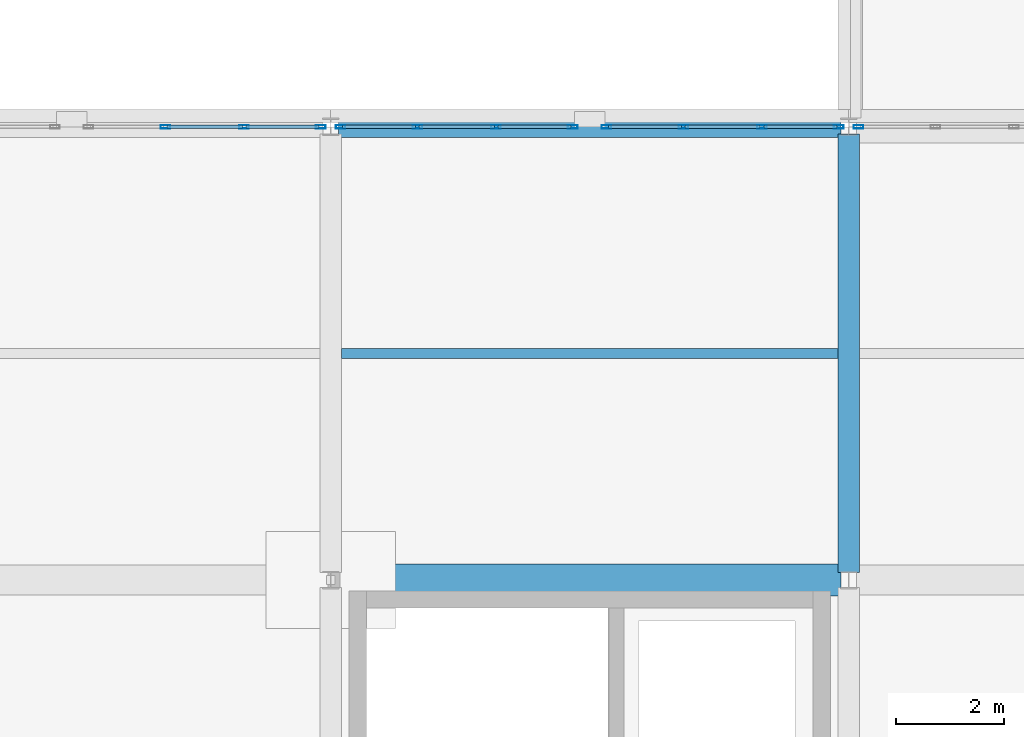
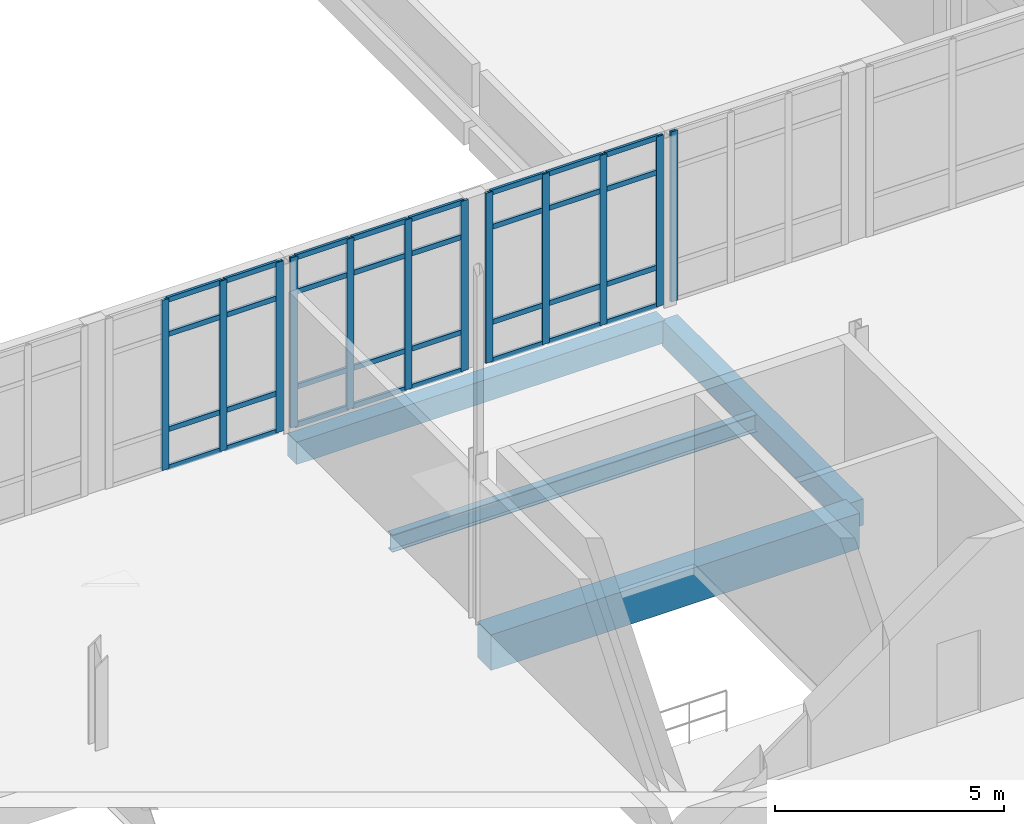
# One storey, part 14 of 88: 44 members, 4 beams, 4 elements without a shape of their own.
"""IFC4 building model written with IfcOpenShell, lengths in metres."""

from ifc_helpers import new_model, si_unit, direction, frame, origin, origin_2d, place, context, subcontext, project, spatial, rectangle, hollow_rectangle, i_section, extrude, material, layer, layer_set, material_profile, profile_set, type_object, element, aggregate, save


model = new_model("IFC4")

# Units and contexts
model_context = context("Model", 3, precision=1e-05, world=origin(), true_north=direction((0.0, 1.0)))
body_context = subcontext(model_context, "Body", "Model", "MODEL_VIEW")
ifc_project = project(units=[si_unit("LENGTHUNIT", "METRE"), si_unit("AREAUNIT", "SQUARE_METRE"), si_unit("VOLUMEUNIT", "CUBIC_METRE"), si_unit("PLANEANGLEUNIT", "RADIAN"), si_unit("MASSUNIT", "GRAM", prefix="KILO")], contexts=[model_context])

# Site, building, storey
site_placement = place(None, origin())
site = spatial("IfcSite", under=ifc_project, at=site_placement, CompositionType="ELEMENT")
building_placement = place(site_placement, origin())
building = spatial("IfcBuilding", under=site, at=building_placement, Name="Lornevale Opera House", CompositionType="ELEMENT")
storey_placement = place(building_placement, frame((0.0, 0.0, 10.199951171875)))
storey = spatial("IfcBuildingStorey", under=building, at=storey_placement, Name="L03", CompositionType="ELEMENT", Elevation=10.199951171875)

# Beams
ifc_material_1 = material(Name="Concrete 35 MPa (CSA A23.1 N)", Category="concrete")
ifc_material_profile_1 = material_profile(ifc_material_1, rectangle(XDim=0.39990234375, YDim=0.699951171875, at=origin_2d()), Name="RC400x700")
ifc_profile_set_1 = profile_set([ifc_material_profile_1], Name="Concrete 35 MPa (CSA A23.1 N)")
beam_type_1 = type_object("IfcBeamType", Name="Concrete Floor Beam 400x700", PredefinedType="USERDEFINED", material=ifc_profile_set_1)
beam_1_placement = place(storey_placement, frame((28.800048828125, 16.9375, -0.639892578125), z_axis=(0.0, 1.0, 0.0), x_axis=(-1.0, 0.0, 0.0)))
element("IfcBeam", 1, at=beam_1_placement, inside=storey, type_object=beam_type_1, Name="Concrete Floor Beam 400x700 2247", ObjectType="GIRDER", PredefinedType="USERDEFINED", context=body_context, shape_type="SweptSolid", body=[
    extrude(rectangle(XDim=0.39990234375, YDim=0.699951171875, at=origin_2d()), origin(), (0.0, 0.0, 1.0), 8.125),
])
ifc_material_profile_2 = material_profile(ifc_material_1, rectangle(XDim=0.60009765625, YDim=0.949951171875, at=origin_2d()), Name="RC600x950")
ifc_profile_set_2 = profile_set([ifc_material_profile_2], Name="Concrete 35 MPa (CSA A23.1 N)")
beam_type_2 = type_object("IfcBeamType", Name="Concrete Primary Girder 600x950", PredefinedType="USERDEFINED", material=ifc_profile_set_2)
beam_2_placement = place(storey_placement, frame((19.346923828125, 16.800048828125, -0.7548828125), z_axis=(1.0, 0.0, 0.0), x_axis=(0.0, 1.0, 0.0)))
element("IfcBeam", 2, at=beam_2_placement, inside=storey, type_object=beam_type_2, Name="Concrete Primary Girder 600x950 2093", ObjectType="GIRDER", PredefinedType="USERDEFINED", context=body_context, shape_type="SweptSolid", body=[
    extrude(rectangle(XDim=0.60009765625, YDim=0.949951171875, at=origin_2d()), origin(), (0.0, 0.0, 1.0), 9.30615234375),
])
ifc_material_profile_3 = material_profile(ifc_material_1, rectangle(XDim=0.39990234375, YDim=0.60009765625, at=origin_2d()), Name="RC400x600")
ifc_profile_set_3 = profile_set([ifc_material_profile_3], Name="Concrete 35 MPa (CSA A23.1 N)")
beam_type_3 = type_object("IfcBeamType", Name="Concrete Spandrel Beam 400x600", PredefinedType="SPANDREL", material=ifc_profile_set_3)
beam_3_placement = place(storey_placement, frame((19.346923828125, 25.199951171875, -0.58984375), z_axis=(1.0, 0.0, 0.0), x_axis=(0.0, 1.0, 0.0)))
element("IfcBeam", 3, at=beam_3_placement, inside=storey, type_object=beam_type_3, Name="Concrete Spandrel Beam 400x600 2106", PredefinedType="SPANDREL", context=body_context, shape_type="SweptSolid", body=[
    extrude(rectangle(XDim=0.39990234375, YDim=0.60009765625, at=origin_2d()), origin(), (0.0, 0.0, 1.0), 9.30615234375),
])

# Curtain wall, members
ifc_material_2 = material(Name="Anodized Oxide-Green Aluminium Framing", Category="aluminium")
ifc_layer = layer(ifc_material_2, 0.175048828125)
ifc_layer_set = layer_set([ifc_layer], Name="Anodized Oxide-Green Aluminium Framing")
curtain_wall_type = type_object("IfcCurtainWallType", Name="Chamber Cloister Curtain Wall M1700", PredefinedType="NOTDEFINED", material=ifc_layer_set)
curtain_wall_1_placement = place(storey_placement, origin())
curtain_wall_1 = element("IfcCurtainWall", 4, at=curtain_wall_1_placement, inside=storey, type_object=curtain_wall_type, Name="Chamber Cloister Curtain Wall M1700 CW-103", PredefinedType="NOTDEFINED")
ifc_material_profile_4 = material_profile(ifc_material_2, hollow_rectangle(XDim=0.06494140625, YDim=0.179931640625, WallThickness=0.0048828125, at=origin_2d()), Name="ALU65x180x5")
ifc_profile_set_4 = profile_set([ifc_material_profile_4], Name="Anodized Oxide-Green Aluminium Framing")
member_type_1 = type_object("IfcMemberType", Name="Curtain Wall Mullion 65x180", PredefinedType="MULLION", material=ifc_profile_set_4)
member_1_placement = place(storey_placement, frame((16.136474609375, 25.199951171875, 0.0), z_axis=(0.0, 0.0, 1.0), x_axis=(0.0, 1.0, 0.0)))
member_1 = element("IfcMember", 5, at=member_1_placement, type_object=member_type_1, Name="Curtain Wall Mullion 65x180 CW2096", PredefinedType="MULLION", context=body_context, shape_type="SweptSolid", body=[
    extrude(hollow_rectangle(XDim=0.06494140625, YDim=0.179931640625, WallThickness=0.0048828125, at=origin_2d()), origin(), (0.0, 0.0, 1.0), 4.5400390625),
])
member_2_placement = place(storey_placement, frame((17.593017578125, 25.199951171875, 0.0), z_axis=(0.0, 0.0, 1.0), x_axis=(0.0, 1.0, 0.0)))
member_2 = element("IfcMember", 6, at=member_2_placement, type_object=member_type_1, Name="Curtain Wall Mullion 65x180 CW2097", PredefinedType="MULLION", context=body_context, shape_type="SweptSolid", body=[
    extrude(hollow_rectangle(XDim=0.06494140625, YDim=0.179931640625, WallThickness=0.0048828125, at=origin_2d()), origin(), (0.0, 0.0, 1.0), 4.5400390625),
])
member_3_placement = place(storey_placement, frame((19.01708984375, 25.199951171875, 0.0), z_axis=(0.0, 0.0, 1.0), x_axis=(0.0, 1.0, 0.0)))
member_3 = element("IfcMember", 7, at=member_3_placement, type_object=member_type_1, Name="Curtain Wall Mullion 65x180 CW2098", PredefinedType="MULLION", context=body_context, shape_type="SweptSolid", body=[
    extrude(hollow_rectangle(XDim=0.06494140625, YDim=0.179931640625, WallThickness=0.0048828125, at=origin_2d()), origin(), (0.0, 0.0, 1.0), 4.5400390625),
])

curtain_wall_2_placement = place(storey_placement, origin())
curtain_wall_2 = element("IfcCurtainWall", 8, at=curtain_wall_2_placement, inside=storey, type_object=curtain_wall_type, Name="Chamber Cloister Curtain Wall M1700 CW-110", PredefinedType="NOTDEFINED")
member_4_placement = place(storey_placement, frame((19.383056640625, 25.199951171875, 0.0), z_axis=(0.0, 0.0, 1.0), x_axis=(0.0, 1.0, 0.0)))
member_4 = element("IfcMember", 9, at=member_4_placement, type_object=member_type_1, Name="Curtain Wall Mullion 65x180 CW2270", PredefinedType="MULLION", context=body_context, shape_type="SweptSolid", body=[
    extrude(hollow_rectangle(XDim=0.06494140625, YDim=0.179931640625, WallThickness=0.0048828125, at=origin_2d()), origin(), (0.0, 0.0, 1.0), 4.5400390625),
])
member_5_placement = place(storey_placement, frame((20.806884765625, 25.199951171875, 0.0), z_axis=(0.0, 0.0, 1.0), x_axis=(0.0, 1.0, 0.0)))
member_5 = element("IfcMember", 10, at=member_5_placement, type_object=member_type_1, Name="Curtain Wall Mullion 65x180 CW2271", PredefinedType="MULLION", context=body_context, shape_type="SweptSolid", body=[
    extrude(hollow_rectangle(XDim=0.06494140625, YDim=0.179931640625, WallThickness=0.0048828125, at=origin_2d()), origin(), (0.0, 0.0, 1.0), 4.5400390625),
])
member_6_placement = place(storey_placement, frame((22.263427734375, 25.199951171875, 0.0), z_axis=(0.0, 0.0, 1.0), x_axis=(0.0, 1.0, 0.0)))
member_6 = element("IfcMember", 11, at=member_6_placement, type_object=member_type_1, Name="Curtain Wall Mullion 65x180 CW2272", PredefinedType="MULLION", context=body_context, shape_type="SweptSolid", body=[
    extrude(hollow_rectangle(XDim=0.06494140625, YDim=0.179931640625, WallThickness=0.0048828125, at=origin_2d()), origin(), (0.0, 0.0, 1.0), 4.5400390625),
])
member_7_placement = place(storey_placement, frame((23.6875, 25.199951171875, 0.0), z_axis=(0.0, 0.0, 1.0), x_axis=(0.0, 1.0, 0.0)))
member_7 = element("IfcMember", 12, at=member_7_placement, type_object=member_type_1, Name="Curtain Wall Mullion 65x180 CW2273", PredefinedType="MULLION", context=body_context, shape_type="SweptSolid", body=[
    extrude(hollow_rectangle(XDim=0.06494140625, YDim=0.179931640625, WallThickness=0.0048828125, at=origin_2d()), origin(), (0.0, 0.0, 1.0), 4.5400390625),
])

curtain_wall_3_placement = place(storey_placement, origin())
curtain_wall_3 = element("IfcCurtainWall", 13, at=curtain_wall_3_placement, inside=storey, type_object=curtain_wall_type, Name="Chamber Cloister Curtain Wall M1700 CW-111", PredefinedType="NOTDEFINED")
member_8_placement = place(storey_placement, frame((24.3125, 25.199951171875, 0.0), z_axis=(0.0, 0.0, 1.0), x_axis=(0.0, 1.0, 0.0)))
member_8 = element("IfcMember", 14, at=member_8_placement, type_object=member_type_1, Name="Curtain Wall Mullion 65x180 CW2295", PredefinedType="MULLION", context=body_context, shape_type="SweptSolid", body=[
    extrude(hollow_rectangle(XDim=0.06494140625, YDim=0.179931640625, WallThickness=0.0048828125, at=origin_2d()), origin(), (0.0, 0.0, 1.0), 4.5400390625),
])
member_9_placement = place(storey_placement, frame((25.736572265625, 25.199951171875, 0.0), z_axis=(0.0, 0.0, 1.0), x_axis=(0.0, 1.0, 0.0)))
member_9 = element("IfcMember", 15, at=member_9_placement, type_object=member_type_1, Name="Curtain Wall Mullion 65x180 CW2296", PredefinedType="MULLION", context=body_context, shape_type="SweptSolid", body=[
    extrude(hollow_rectangle(XDim=0.06494140625, YDim=0.179931640625, WallThickness=0.0048828125, at=origin_2d()), origin(), (0.0, 0.0, 1.0), 4.5400390625),
])
member_10_placement = place(storey_placement, frame((27.193115234375, 25.199951171875, 0.0), z_axis=(0.0, 0.0, 1.0), x_axis=(0.0, 1.0, 0.0)))
member_10 = element("IfcMember", 16, at=member_10_placement, type_object=member_type_1, Name="Curtain Wall Mullion 65x180 CW2297", PredefinedType="MULLION", context=body_context, shape_type="SweptSolid", body=[
    extrude(hollow_rectangle(XDim=0.06494140625, YDim=0.179931640625, WallThickness=0.0048828125, at=origin_2d()), origin(), (0.0, 0.0, 1.0), 4.5400390625),
])
member_11_placement = place(storey_placement, frame((28.616943359375, 25.199951171875, 0.0), z_axis=(0.0, 0.0, 1.0), x_axis=(0.0, 1.0, 0.0)))
member_11 = element("IfcMember", 17, at=member_11_placement, type_object=member_type_1, Name="Curtain Wall Mullion 65x180 CW2298", PredefinedType="MULLION", context=body_context, shape_type="SweptSolid", body=[
    extrude(hollow_rectangle(XDim=0.06494140625, YDim=0.179931640625, WallThickness=0.0048828125, at=origin_2d()), origin(), (0.0, 0.0, 1.0), 4.5400390625),
])

# Curtain wall, member
curtain_wall_4_placement = place(storey_placement, origin())
curtain_wall_4 = element("IfcCurtainWall", 18, at=curtain_wall_4_placement, inside=storey, type_object=curtain_wall_type, Name="Chamber Cloister Curtain Wall M1700 CW-122", PredefinedType="NOTDEFINED")
member_12_placement = place(storey_placement, frame((28.98291015625, 25.199951171875, 0.0), z_axis=(0.0, 0.0, 1.0), x_axis=(0.0, 1.0, 0.0)))
member_12 = element("IfcMember", 19, at=member_12_placement, type_object=member_type_1, Name="Curtain Wall Mullion 65x180 CW2530", PredefinedType="MULLION", context=body_context, shape_type="SweptSolid", body=[
    extrude(hollow_rectangle(XDim=0.06494140625, YDim=0.179931640625, WallThickness=0.0048828125, at=origin_2d()), origin(), (0.0, 0.0, 1.0), 4.5400390625),
])
aggregate(curtain_wall_4, [member_12])

# Member
ifc_material_profile_5 = material_profile(ifc_material_2, hollow_rectangle(XDim=0.06494140625, YDim=0.135009765625, WallThickness=0.00390625, at=origin_2d()), Name="ALU65x135x4")
ifc_profile_set_5 = profile_set([ifc_material_profile_5], Name="Anodized Oxide-Green Aluminium Framing")
member_type_2 = type_object("IfcMemberType", Name="Curtain Wall Transom 65x135", PredefinedType="USERDEFINED", material=ifc_profile_set_5)
member_13_placement = place(storey_placement, frame((16.1689453125, 25.199951171875, 0.032470703125), z_axis=(1.0, 0.0, 0.0), x_axis=(0.0, 1.0, 0.0)))
member_13 = element("IfcMember", 20, at=member_13_placement, type_object=member_type_2, Name="Curtain Wall Transom 65x135 CW2106", ObjectType="TRANSOM", PredefinedType="USERDEFINED", context=body_context, shape_type="SweptSolid", body=[
    extrude(hollow_rectangle(XDim=0.06494140625, YDim=0.135009765625, WallThickness=0.00390625, at=origin_2d()), origin(), (0.0, 0.0, 1.0), 1.3916015625),
])

member_14_placement = place(storey_placement, frame((16.1689453125, 25.199951171875, 1.050048828125), z_axis=(1.0, 0.0, 0.0), x_axis=(0.0, 1.0, 0.0)))
member_14 = element("IfcMember", 21, at=member_14_placement, type_object=member_type_2, Name="Curtain Wall Transom 65x135 CW2107", ObjectType="TRANSOM", PredefinedType="USERDEFINED", context=body_context, shape_type="SweptSolid", body=[
    extrude(hollow_rectangle(XDim=0.06494140625, YDim=0.135009765625, WallThickness=0.00390625, at=origin_2d()), origin(), (0.0, 0.0, 1.0), 1.3916015625),
])

member_15_placement = place(storey_placement, frame((16.1689453125, 25.199951171875, 3.590087890625), z_axis=(1.0, 0.0, 0.0), x_axis=(0.0, 1.0, 0.0)))
member_15 = element("IfcMember", 22, at=member_15_placement, type_object=member_type_2, Name="Curtain Wall Transom 65x135 CW2108", ObjectType="TRANSOM", PredefinedType="USERDEFINED", context=body_context, shape_type="SweptSolid", body=[
    extrude(hollow_rectangle(XDim=0.06494140625, YDim=0.135009765625, WallThickness=0.00390625, at=origin_2d()), origin(), (0.0, 0.0, 1.0), 1.3916015625),
])

member_16_placement = place(storey_placement, frame((16.1689453125, 25.199951171875, 4.507568359375), z_axis=(1.0, 0.0, 0.0), x_axis=(0.0, 1.0, 0.0)))
member_16 = element("IfcMember", 23, at=member_16_placement, type_object=member_type_2, Name="Curtain Wall Transom 65x135 CW2109", ObjectType="TRANSOM", PredefinedType="USERDEFINED", context=body_context, shape_type="SweptSolid", body=[
    extrude(hollow_rectangle(XDim=0.06494140625, YDim=0.135009765625, WallThickness=0.00390625, at=origin_2d()), origin(), (0.0, 0.0, 1.0), 1.3916015625),
])

member_17_placement = place(storey_placement, frame((17.62548828125, 25.199951171875, 0.032470703125), z_axis=(1.0, 0.0, 0.0), x_axis=(0.0, 1.0, 0.0)))
member_17 = element("IfcMember", 24, at=member_17_placement, type_object=member_type_2, Name="Curtain Wall Transom 65x135 CW2113", ObjectType="TRANSOM", PredefinedType="USERDEFINED", context=body_context, shape_type="SweptSolid", body=[
    extrude(hollow_rectangle(XDim=0.06494140625, YDim=0.135009765625, WallThickness=0.00390625, at=origin_2d()), origin(), (0.0, 0.0, 1.0), 1.359130859375),
])

member_18_placement = place(storey_placement, frame((17.62548828125, 25.199951171875, 1.050048828125), z_axis=(1.0, 0.0, 0.0), x_axis=(0.0, 1.0, 0.0)))
member_18 = element("IfcMember", 25, at=member_18_placement, type_object=member_type_2, Name="Curtain Wall Transom 65x135 CW2114", ObjectType="TRANSOM", PredefinedType="USERDEFINED", context=body_context, shape_type="SweptSolid", body=[
    extrude(hollow_rectangle(XDim=0.06494140625, YDim=0.135009765625, WallThickness=0.00390625, at=origin_2d()), origin(), (0.0, 0.0, 1.0), 1.359130859375),
])

member_19_placement = place(storey_placement, frame((17.62548828125, 25.199951171875, 3.590087890625), z_axis=(1.0, 0.0, 0.0), x_axis=(0.0, 1.0, 0.0)))
member_19 = element("IfcMember", 26, at=member_19_placement, type_object=member_type_2, Name="Curtain Wall Transom 65x135 CW2115", ObjectType="TRANSOM", PredefinedType="USERDEFINED", context=body_context, shape_type="SweptSolid", body=[
    extrude(hollow_rectangle(XDim=0.06494140625, YDim=0.135009765625, WallThickness=0.00390625, at=origin_2d()), origin(), (0.0, 0.0, 1.0), 1.359130859375),
])

member_20_placement = place(storey_placement, frame((17.62548828125, 25.199951171875, 4.507568359375), z_axis=(1.0, 0.0, 0.0), x_axis=(0.0, 1.0, 0.0)))
member_20 = element("IfcMember", 27, at=member_20_placement, type_object=member_type_2, Name="Curtain Wall Transom 65x135 CW2116", ObjectType="TRANSOM", PredefinedType="USERDEFINED", context=body_context, shape_type="SweptSolid", body=[
    extrude(hollow_rectangle(XDim=0.06494140625, YDim=0.135009765625, WallThickness=0.00390625, at=origin_2d()), origin(), (0.0, 0.0, 1.0), 1.359130859375),
])

aggregate(curtain_wall_1, [member_1, member_2, member_3, member_13, member_14, member_15, member_16, member_17, member_18, member_19, member_20])

member_21_placement = place(storey_placement, frame((19.41552734375, 25.199951171875, 0.032470703125), z_axis=(1.0, 0.0, 0.0), x_axis=(0.0, 1.0, 0.0)))
member_21 = element("IfcMember", 28, at=member_21_placement, type_object=member_type_2, Name="Curtain Wall Transom 65x135 CW2274", ObjectType="TRANSOM", PredefinedType="USERDEFINED", context=body_context, shape_type="SweptSolid", body=[
    extrude(hollow_rectangle(XDim=0.06494140625, YDim=0.135009765625, WallThickness=0.00390625, at=origin_2d()), origin(), (0.0, 0.0, 1.0), 1.35888671875),
])

member_22_placement = place(storey_placement, frame((19.41552734375, 25.199951171875, 1.050048828125), z_axis=(1.0, 0.0, 0.0), x_axis=(0.0, 1.0, 0.0)))
member_22 = element("IfcMember", 29, at=member_22_placement, type_object=member_type_2, Name="Curtain Wall Transom 65x135 CW2275", ObjectType="TRANSOM", PredefinedType="USERDEFINED", context=body_context, shape_type="SweptSolid", body=[
    extrude(hollow_rectangle(XDim=0.06494140625, YDim=0.135009765625, WallThickness=0.00390625, at=origin_2d()), origin(), (0.0, 0.0, 1.0), 1.35888671875),
])

member_23_placement = place(storey_placement, frame((19.41552734375, 25.199951171875, 3.590087890625), z_axis=(1.0, 0.0, 0.0), x_axis=(0.0, 1.0, 0.0)))
member_23 = element("IfcMember", 30, at=member_23_placement, type_object=member_type_2, Name="Curtain Wall Transom 65x135 CW2276", ObjectType="TRANSOM", PredefinedType="USERDEFINED", context=body_context, shape_type="SweptSolid", body=[
    extrude(hollow_rectangle(XDim=0.06494140625, YDim=0.135009765625, WallThickness=0.00390625, at=origin_2d()), origin(), (0.0, 0.0, 1.0), 1.35888671875),
])

member_24_placement = place(storey_placement, frame((19.41552734375, 25.199951171875, 4.507568359375), z_axis=(1.0, 0.0, 0.0), x_axis=(0.0, 1.0, 0.0)))
member_24 = element("IfcMember", 31, at=member_24_placement, type_object=member_type_2, Name="Curtain Wall Transom 65x135 CW2277", ObjectType="TRANSOM", PredefinedType="USERDEFINED", context=body_context, shape_type="SweptSolid", body=[
    extrude(hollow_rectangle(XDim=0.06494140625, YDim=0.135009765625, WallThickness=0.00390625, at=origin_2d()), origin(), (0.0, 0.0, 1.0), 1.35888671875),
])

member_25_placement = place(storey_placement, frame((20.839599609375, 25.199951171875, 0.032470703125), z_axis=(1.0, 0.0, 0.0), x_axis=(0.0, 1.0, 0.0)))
member_25 = element("IfcMember", 32, at=member_25_placement, type_object=member_type_2, Name="Curtain Wall Transom 65x135 CW2281", ObjectType="TRANSOM", PredefinedType="USERDEFINED", context=body_context, shape_type="SweptSolid", body=[
    extrude(hollow_rectangle(XDim=0.06494140625, YDim=0.135009765625, WallThickness=0.00390625, at=origin_2d()), origin(), (0.0, 0.0, 1.0), 1.391357421875),
])

member_26_placement = place(storey_placement, frame((20.839599609375, 25.199951171875, 1.050048828125), z_axis=(1.0, 0.0, 0.0), x_axis=(0.0, 1.0, 0.0)))
member_26 = element("IfcMember", 33, at=member_26_placement, type_object=member_type_2, Name="Curtain Wall Transom 65x135 CW2282", ObjectType="TRANSOM", PredefinedType="USERDEFINED", context=body_context, shape_type="SweptSolid", body=[
    extrude(hollow_rectangle(XDim=0.06494140625, YDim=0.135009765625, WallThickness=0.00390625, at=origin_2d()), origin(), (0.0, 0.0, 1.0), 1.391357421875),
])

member_27_placement = place(storey_placement, frame((20.839599609375, 25.199951171875, 3.590087890625), z_axis=(1.0, 0.0, 0.0), x_axis=(0.0, 1.0, 0.0)))
member_27 = element("IfcMember", 34, at=member_27_placement, type_object=member_type_2, Name="Curtain Wall Transom 65x135 CW2283", ObjectType="TRANSOM", PredefinedType="USERDEFINED", context=body_context, shape_type="SweptSolid", body=[
    extrude(hollow_rectangle(XDim=0.06494140625, YDim=0.135009765625, WallThickness=0.00390625, at=origin_2d()), origin(), (0.0, 0.0, 1.0), 1.391357421875),
])

member_28_placement = place(storey_placement, frame((20.839599609375, 25.199951171875, 4.507568359375), z_axis=(1.0, 0.0, 0.0), x_axis=(0.0, 1.0, 0.0)))
member_28 = element("IfcMember", 35, at=member_28_placement, type_object=member_type_2, Name="Curtain Wall Transom 65x135 CW2284", ObjectType="TRANSOM", PredefinedType="USERDEFINED", context=body_context, shape_type="SweptSolid", body=[
    extrude(hollow_rectangle(XDim=0.06494140625, YDim=0.135009765625, WallThickness=0.00390625, at=origin_2d()), origin(), (0.0, 0.0, 1.0), 1.391357421875),
])

member_29_placement = place(storey_placement, frame((22.2958984375, 25.199951171875, 0.032470703125), z_axis=(1.0, 0.0, 0.0), x_axis=(0.0, 1.0, 0.0)))
member_29 = element("IfcMember", 36, at=member_29_placement, type_object=member_type_2, Name="Curtain Wall Transom 65x135 CW2288", ObjectType="TRANSOM", PredefinedType="USERDEFINED", context=body_context, shape_type="SweptSolid", body=[
    extrude(hollow_rectangle(XDim=0.06494140625, YDim=0.135009765625, WallThickness=0.00390625, at=origin_2d()), origin(), (0.0, 0.0, 1.0), 1.359130859375),
])

member_30_placement = place(storey_placement, frame((22.2958984375, 25.199951171875, 1.050048828125), z_axis=(1.0, 0.0, 0.0), x_axis=(0.0, 1.0, 0.0)))
member_30 = element("IfcMember", 37, at=member_30_placement, type_object=member_type_2, Name="Curtain Wall Transom 65x135 CW2289", ObjectType="TRANSOM", PredefinedType="USERDEFINED", context=body_context, shape_type="SweptSolid", body=[
    extrude(hollow_rectangle(XDim=0.06494140625, YDim=0.135009765625, WallThickness=0.00390625, at=origin_2d()), origin(), (0.0, 0.0, 1.0), 1.359130859375),
])

member_31_placement = place(storey_placement, frame((22.2958984375, 25.199951171875, 3.590087890625), z_axis=(1.0, 0.0, 0.0), x_axis=(0.0, 1.0, 0.0)))
member_31 = element("IfcMember", 38, at=member_31_placement, type_object=member_type_2, Name="Curtain Wall Transom 65x135 CW2290", ObjectType="TRANSOM", PredefinedType="USERDEFINED", context=body_context, shape_type="SweptSolid", body=[
    extrude(hollow_rectangle(XDim=0.06494140625, YDim=0.135009765625, WallThickness=0.00390625, at=origin_2d()), origin(), (0.0, 0.0, 1.0), 1.359130859375),
])

member_32_placement = place(storey_placement, frame((22.2958984375, 25.199951171875, 4.507568359375), z_axis=(1.0, 0.0, 0.0), x_axis=(0.0, 1.0, 0.0)))
member_32 = element("IfcMember", 39, at=member_32_placement, type_object=member_type_2, Name="Curtain Wall Transom 65x135 CW2291", ObjectType="TRANSOM", PredefinedType="USERDEFINED", context=body_context, shape_type="SweptSolid", body=[
    extrude(hollow_rectangle(XDim=0.06494140625, YDim=0.135009765625, WallThickness=0.00390625, at=origin_2d()), origin(), (0.0, 0.0, 1.0), 1.359130859375),
])

aggregate(curtain_wall_2, [member_4, member_5, member_6, member_7, member_21, member_22, member_23, member_24, member_25, member_26, member_27, member_28, member_29, member_30, member_31, member_32])

member_33_placement = place(storey_placement, frame((24.344970703125, 25.199951171875, 0.032470703125), z_axis=(1.0, 0.0, 0.0), x_axis=(0.0, 1.0, 0.0)))
member_33 = element("IfcMember", 40, at=member_33_placement, type_object=member_type_2, Name="Curtain Wall Transom 65x135 CW2299", ObjectType="TRANSOM", PredefinedType="USERDEFINED", context=body_context, shape_type="SweptSolid", body=[
    extrude(hollow_rectangle(XDim=0.06494140625, YDim=0.135009765625, WallThickness=0.00390625, at=origin_2d()), origin(), (0.0, 0.0, 1.0), 1.359130859375),
])

member_34_placement = place(storey_placement, frame((24.344970703125, 25.199951171875, 1.050048828125), z_axis=(1.0, 0.0, 0.0), x_axis=(0.0, 1.0, 0.0)))
member_34 = element("IfcMember", 41, at=member_34_placement, type_object=member_type_2, Name="Curtain Wall Transom 65x135 CW2300", ObjectType="TRANSOM", PredefinedType="USERDEFINED", context=body_context, shape_type="SweptSolid", body=[
    extrude(hollow_rectangle(XDim=0.06494140625, YDim=0.135009765625, WallThickness=0.00390625, at=origin_2d()), origin(), (0.0, 0.0, 1.0), 1.359130859375),
])

member_35_placement = place(storey_placement, frame((24.344970703125, 25.199951171875, 3.590087890625), z_axis=(1.0, 0.0, 0.0), x_axis=(0.0, 1.0, 0.0)))
member_35 = element("IfcMember", 42, at=member_35_placement, type_object=member_type_2, Name="Curtain Wall Transom 65x135 CW2301", ObjectType="TRANSOM", PredefinedType="USERDEFINED", context=body_context, shape_type="SweptSolid", body=[
    extrude(hollow_rectangle(XDim=0.06494140625, YDim=0.135009765625, WallThickness=0.00390625, at=origin_2d()), origin(), (0.0, 0.0, 1.0), 1.359130859375),
])

member_36_placement = place(storey_placement, frame((24.344970703125, 25.199951171875, 4.507568359375), z_axis=(1.0, 0.0, 0.0), x_axis=(0.0, 1.0, 0.0)))
member_36 = element("IfcMember", 43, at=member_36_placement, type_object=member_type_2, Name="Curtain Wall Transom 65x135 CW2302", ObjectType="TRANSOM", PredefinedType="USERDEFINED", context=body_context, shape_type="SweptSolid", body=[
    extrude(hollow_rectangle(XDim=0.06494140625, YDim=0.135009765625, WallThickness=0.00390625, at=origin_2d()), origin(), (0.0, 0.0, 1.0), 1.359130859375),
])

member_37_placement = place(storey_placement, frame((25.76904296875, 25.199951171875, 0.032470703125), z_axis=(1.0, 0.0, 0.0), x_axis=(0.0, 1.0, 0.0)))
member_37 = element("IfcMember", 44, at=member_37_placement, type_object=member_type_2, Name="Curtain Wall Transom 65x135 CW2306", ObjectType="TRANSOM", PredefinedType="USERDEFINED", context=body_context, shape_type="SweptSolid", body=[
    extrude(hollow_rectangle(XDim=0.06494140625, YDim=0.135009765625, WallThickness=0.00390625, at=origin_2d()), origin(), (0.0, 0.0, 1.0), 1.391357421875),
])

member_38_placement = place(storey_placement, frame((25.76904296875, 25.199951171875, 1.050048828125), z_axis=(1.0, 0.0, 0.0), x_axis=(0.0, 1.0, 0.0)))
member_38 = element("IfcMember", 45, at=member_38_placement, type_object=member_type_2, Name="Curtain Wall Transom 65x135 CW2307", ObjectType="TRANSOM", PredefinedType="USERDEFINED", context=body_context, shape_type="SweptSolid", body=[
    extrude(hollow_rectangle(XDim=0.06494140625, YDim=0.135009765625, WallThickness=0.00390625, at=origin_2d()), origin(), (0.0, 0.0, 1.0), 1.391357421875),
])

member_39_placement = place(storey_placement, frame((25.76904296875, 25.199951171875, 3.590087890625), z_axis=(1.0, 0.0, 0.0), x_axis=(0.0, 1.0, 0.0)))
member_39 = element("IfcMember", 46, at=member_39_placement, type_object=member_type_2, Name="Curtain Wall Transom 65x135 CW2308", ObjectType="TRANSOM", PredefinedType="USERDEFINED", context=body_context, shape_type="SweptSolid", body=[
    extrude(hollow_rectangle(XDim=0.06494140625, YDim=0.135009765625, WallThickness=0.00390625, at=origin_2d()), origin(), (0.0, 0.0, 1.0), 1.391357421875),
])

member_40_placement = place(storey_placement, frame((25.76904296875, 25.199951171875, 4.507568359375), z_axis=(1.0, 0.0, 0.0), x_axis=(0.0, 1.0, 0.0)))
member_40 = element("IfcMember", 47, at=member_40_placement, type_object=member_type_2, Name="Curtain Wall Transom 65x135 CW2309", ObjectType="TRANSOM", PredefinedType="USERDEFINED", context=body_context, shape_type="SweptSolid", body=[
    extrude(hollow_rectangle(XDim=0.06494140625, YDim=0.135009765625, WallThickness=0.00390625, at=origin_2d()), origin(), (0.0, 0.0, 1.0), 1.391357421875),
])

member_41_placement = place(storey_placement, frame((27.2255859375, 25.199951171875, 0.032470703125), z_axis=(1.0, 0.0, 0.0), x_axis=(0.0, 1.0, 0.0)))
member_41 = element("IfcMember", 48, at=member_41_placement, type_object=member_type_2, Name="Curtain Wall Transom 65x135 CW2313", ObjectType="TRANSOM", PredefinedType="USERDEFINED", context=body_context, shape_type="SweptSolid", body=[
    extrude(hollow_rectangle(XDim=0.06494140625, YDim=0.135009765625, WallThickness=0.00390625, at=origin_2d()), origin(), (0.0, 0.0, 1.0), 1.35888671875),
])

member_42_placement = place(storey_placement, frame((27.2255859375, 25.199951171875, 1.050048828125), z_axis=(1.0, 0.0, 0.0), x_axis=(0.0, 1.0, 0.0)))
member_42 = element("IfcMember", 49, at=member_42_placement, type_object=member_type_2, Name="Curtain Wall Transom 65x135 CW2314", ObjectType="TRANSOM", PredefinedType="USERDEFINED", context=body_context, shape_type="SweptSolid", body=[
    extrude(hollow_rectangle(XDim=0.06494140625, YDim=0.135009765625, WallThickness=0.00390625, at=origin_2d()), origin(), (0.0, 0.0, 1.0), 1.35888671875),
])

member_43_placement = place(storey_placement, frame((27.2255859375, 25.199951171875, 3.590087890625), z_axis=(1.0, 0.0, 0.0), x_axis=(0.0, 1.0, 0.0)))
member_43 = element("IfcMember", 50, at=member_43_placement, type_object=member_type_2, Name="Curtain Wall Transom 65x135 CW2315", ObjectType="TRANSOM", PredefinedType="USERDEFINED", context=body_context, shape_type="SweptSolid", body=[
    extrude(hollow_rectangle(XDim=0.06494140625, YDim=0.135009765625, WallThickness=0.00390625, at=origin_2d()), origin(), (0.0, 0.0, 1.0), 1.35888671875),
])

member_44_placement = place(storey_placement, frame((27.2255859375, 25.199951171875, 4.507568359375), z_axis=(1.0, 0.0, 0.0), x_axis=(0.0, 1.0, 0.0)))
member_44 = element("IfcMember", 51, at=member_44_placement, type_object=member_type_2, Name="Curtain Wall Transom 65x135 CW2316", ObjectType="TRANSOM", PredefinedType="USERDEFINED", context=body_context, shape_type="SweptSolid", body=[
    extrude(hollow_rectangle(XDim=0.06494140625, YDim=0.135009765625, WallThickness=0.00390625, at=origin_2d()), origin(), (0.0, 0.0, 1.0), 1.35888671875),
])

aggregate(curtain_wall_3, [member_8, member_9, member_10, member_11, member_33, member_34, member_35, member_36, member_37, member_38, member_39, member_40, member_41, member_42, member_43, member_44])

# Beam
ifc_material_3 = material(Name="Structural Steel CSA G40.21 Grade 350W (350 MPa)", Category="steel")
ifc_material_profile_6 = material_profile(ifc_material_3, i_section(OverallWidth=0.19189453125, OverallDepth=0.462890625, WebThickness=0.010498046875, FlangeThickness=0.017578125, at=origin_2d()), Name="W460x89")
ifc_profile_set_6 = profile_set([ifc_material_profile_6], Name="Structural Steel CSA G40.21 Grade 350W (350 MPa)")
beam_type_4 = type_object("IfcBeamType", Name="Steel Floor Joist W460x89", PredefinedType="JOIST", material=ifc_profile_set_6)
beam_4_placement = place(storey_placement, frame((19.39990234375, 21.0, -0.536376953125), z_axis=(1.0, 0.0, 0.0), x_axis=(0.0, 1.0, 0.0)))
element("IfcBeam", 52, at=beam_4_placement, inside=storey, type_object=beam_type_4, Name="Steel Floor Joist W460x89 2373", PredefinedType="JOIST", context=body_context, shape_type="SweptSolid", body=[
    extrude(i_section(OverallWidth=0.19189453125, OverallDepth=0.462890625, WebThickness=0.010498046875, FlangeThickness=0.017578125, at=origin_2d()), origin(), (0.0, 0.0, 1.0), 9.2001953125),
])

save(model, "model.ifc")
